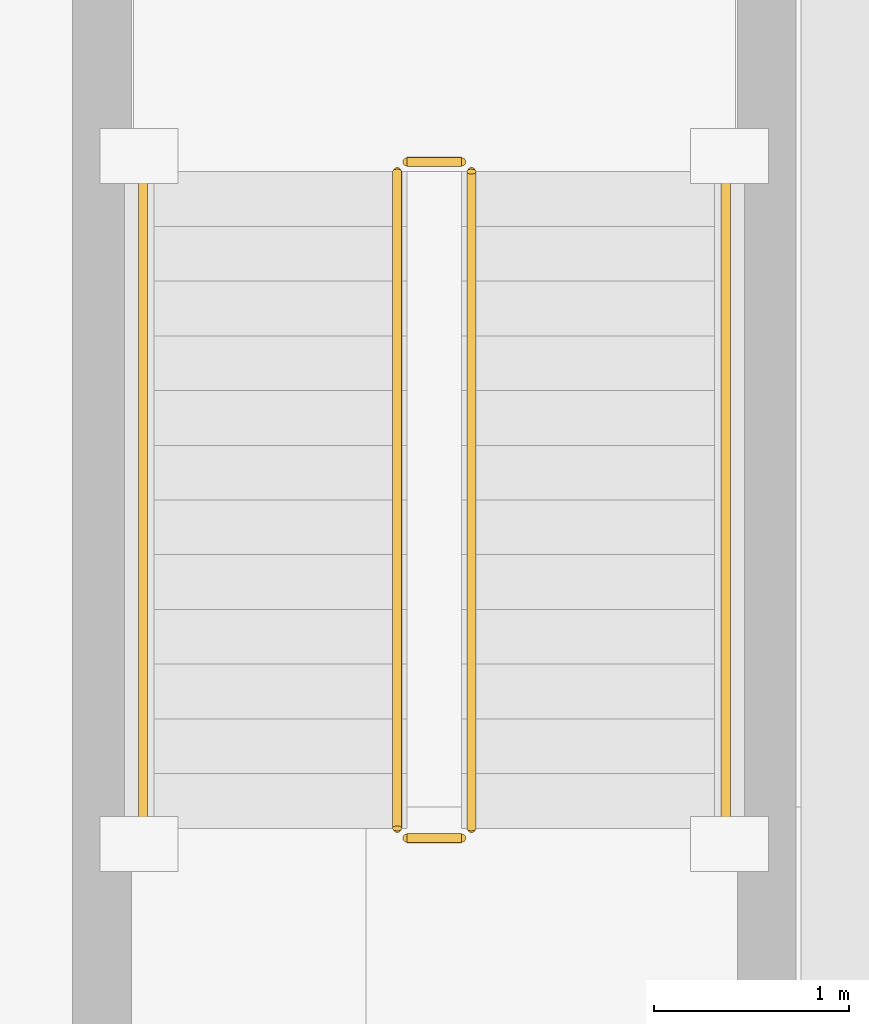
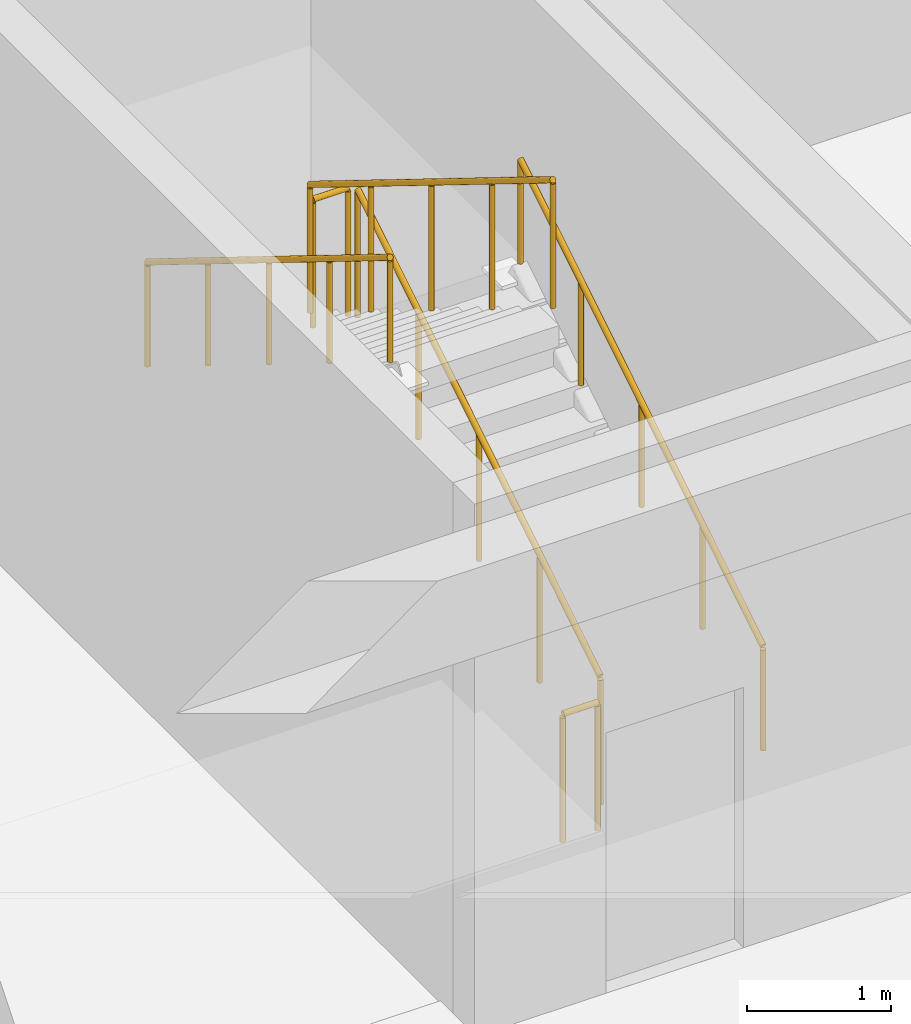
# One storey, part 39 of 41: 6 railings.
"""IFC4 building model written with IfcOpenShell, lengths in metres."""

from ifc_helpers import new_model, si_unit, direction, frame, origin, origin_2d, place, context, subcontext, project, spatial, circle, extrude, material, type_object, element, save


model = new_model("IFC4")

# Units and contexts
model_context = context("Model", 3, precision=1e-05, world=origin(), true_north=direction((0.0, 1.0)))
body_context = subcontext(model_context, "Body", "Model", "MODEL_VIEW")
ifc_project = project(units=[si_unit("LENGTHUNIT", "METRE"), si_unit("AREAUNIT", "SQUARE_METRE"), si_unit("VOLUMEUNIT", "CUBIC_METRE"), si_unit("PLANEANGLEUNIT", "RADIAN"), si_unit("MASSUNIT", "GRAM", prefix="KILO")], contexts=[model_context])

# Site, building, storey
site_placement = place(None, origin())
site = spatial("IfcSite", under=ifc_project, at=site_placement, CompositionType="ELEMENT")
building_placement = place(site_placement, origin())
building = spatial("IfcBuilding", under=site, at=building_placement, Name="Kemercrest Conservatory and Botanical Centre", CompositionType="ELEMENT")
storey_placement = place(building_placement, frame((0.0, 0.0, -4.5)))
storey = spatial("IfcBuildingStorey", under=building, at=storey_placement, Name="B1", CompositionType="ELEMENT", Elevation=-4.5)

# Railings
ifc_material_1 = material(Name="Painted galvanized steel tubular stair guardrail", Category="steel")
railing_type_1 = type_object("IfcRailingType", Name="GR-STR110", PredefinedType="GUARDRAIL", material=ifc_material_1)
railing_1_placement = place(storey_placement, frame((81.68994140625, 115.840087890625, 0.173095703125)))
element("IfcRailing", 1, at=railing_1_placement, inside=storey, type_object=railing_type_1, Name="B1 ST-V3B stair guard 1", PredefinedType="GUARDRAIL", context=body_context, shape_type="SweptSolid", body=[
    extrude(circle(Radius=0.02392578125, at=origin_2d()), frame((0.0, 0.0, 1.076171875), z_axis=(0.0, 0.850606129759, 0.525803396734), x_axis=(-1.0, 0.0, 0.0)), (0.0, 0.0, 1.0), 3.949951171875),
    extrude(circle(Radius=0.02099609375, at=origin_2d()), origin(), (0.0, 0.0, 1.0), 1.052001953125),
    extrude(circle(Radius=0.02099609375, at=origin_2d()), frame((0.0, 0.83984375, 0.519287109375)), (0.0, 0.0, 1.0), 1.052001953125),
    extrude(circle(Radius=0.02099609375, at=origin_2d()), frame((0.0, 1.679931640625, 1.03857421875)), (0.0, 0.0, 1.0), 1.052001953125),
    extrude(circle(Radius=0.02099609375, at=origin_2d()), frame((0.0, 2.52001953125, 1.5576171875)), (0.0, 0.0, 1.0), 1.052001953125),
    extrude(circle(Radius=0.02099609375, at=origin_2d()), frame((0.0, 3.35986328125, 2.076904296875)), (0.0, 0.0, 1.0), 1.052001953125),
])
railing_2_placement = place(storey_placement, frame((81.639892578125, 119.25, 2.25)))
element("IfcRailing", 2, at=railing_2_placement, inside=storey, type_object=railing_type_1, Name="B1 ST-V3B stair guard 2", PredefinedType="GUARDRAIL", context=body_context, shape_type="SweptSolid", body=[
    extrude(circle(Radius=0.02392578125, at=origin_2d()), frame((0.0, 0.0, 1.076171875), z_axis=(-1.0, 0.0, 0.0), x_axis=(0.0, -1.0, 0.0)), (0.0, 0.0, 1.0), 0.27978515625),
    extrude(circle(Radius=0.02099609375, at=origin_2d()), origin(), (0.0, 0.0, 1.0), 1.052001953125),
    extrude(circle(Radius=0.02099609375, at=origin_2d()), frame((-0.27978515625, 0.0, 0.0)), (0.0, 0.0, 1.0), 1.052001953125),
])
railing_3_placement = place(storey_placement, frame((81.31005859375, 119.199951171875, 2.423095703125)))
element("IfcRailing", 3, at=railing_3_placement, inside=storey, type_object=railing_type_1, Name="B1 ST-V3B stair guard 3", PredefinedType="GUARDRAIL", context=body_context, shape_type="SweptSolid", body=[
    extrude(circle(Radius=0.02392578125, at=origin_2d()), frame((0.0, 0.0, 1.076171875), z_axis=(0.0, -0.850606129759, 0.525803396734), x_axis=(1.0, 0.0, 0.0)), (0.0, 0.0, 1.0), 3.949951171875),
    extrude(circle(Radius=0.02099609375, at=origin_2d()), origin(), (0.0, 0.0, 1.0), 1.052001953125),
    extrude(circle(Radius=0.02099609375, at=origin_2d()), frame((0.0, -0.83984375, 0.519287109375)), (0.0, 0.0, 1.0), 1.052001953125),
    extrude(circle(Radius=0.02099609375, at=origin_2d()), frame((0.0, -1.679931640625, 1.03857421875)), (0.0, 0.0, 1.0), 1.052001953125),
    extrude(circle(Radius=0.02099609375, at=origin_2d()), frame((0.0, -2.52001953125, 1.5576171875)), (0.0, 0.0, 1.0), 1.052001953125),
    extrude(circle(Radius=0.02099609375, at=origin_2d()), frame((0.0, -3.35986328125, 2.076904296875)), (0.0, 0.0, 1.0), 1.052001953125),
])
railing_4_placement = place(storey_placement, frame((81.639892578125, 115.7900390625, 0.0)))
element("IfcRailing", 4, at=railing_4_placement, inside=storey, type_object=railing_type_1, Name="B1 ST-V3B stair guard 4", PredefinedType="GUARDRAIL", context=body_context, shape_type="SweptSolid", body=[
    extrude(circle(Radius=0.02392578125, at=origin_2d()), frame((0.0, 0.0, 1.076171875), z_axis=(-1.0, 0.0, 0.0), x_axis=(0.0, -1.0, 0.0)), (0.0, 0.0, 1.0), 0.27978515625),
    extrude(circle(Radius=0.02099609375, at=origin_2d()), origin(), (0.0, 0.0, 1.0), 1.052001953125),
    extrude(circle(Radius=0.02099609375, at=origin_2d()), frame((-0.27978515625, 0.0, 0.0)), (0.0, 0.0, 1.0), 1.052001953125),
])
ifc_material_2 = material(Name="Brushed stainless steel wall-mounted handrail", Category="steel")
railing_type_2 = type_object("IfcRailingType", Name="HR-STR090", PredefinedType="HANDRAIL", material=ifc_material_2)
railing_5_placement = place(storey_placement, frame((82.989990234375, 115.840087890625, 0.173095703125)))
element("IfcRailing", 5, at=railing_5_placement, inside=storey, type_object=railing_type_2, Name="B1 ST-V3B stair handrail 1", PredefinedType="HANDRAIL", context=body_context, shape_type="SweptSolid", body=[
    extrude(circle(Radius=0.02392578125, at=origin_2d()), frame((0.0, 0.0, 0.8759765625), z_axis=(0.0, 0.850606129759, 0.525803396734), x_axis=(-1.0, 0.0, 0.0)), (0.0, 0.0, 1.0), 3.949951171875),
    extrude(circle(Radius=0.02099609375, at=origin_2d()), origin(), (0.0, 0.0, 1.0), 0.851806640625),
    extrude(circle(Radius=0.02099609375, at=origin_2d()), frame((0.0, 0.83984375, 0.519287109375)), (0.0, 0.0, 1.0), 0.851806640625),
    extrude(circle(Radius=0.02099609375, at=origin_2d()), frame((0.0, 1.679931640625, 1.03857421875)), (0.0, 0.0, 1.0), 0.851806640625),
    extrude(circle(Radius=0.02099609375, at=origin_2d()), frame((0.0, 2.52001953125, 1.5576171875)), (0.0, 0.0, 1.0), 0.851806640625),
    extrude(circle(Radius=0.02099609375, at=origin_2d()), frame((0.0, 3.35986328125, 2.076904296875)), (0.0, 0.0, 1.0), 0.851806640625),
])
railing_6_placement = place(storey_placement, frame((80.010009765625, 119.199951171875, 2.423095703125)))
element("IfcRailing", 6, at=railing_6_placement, inside=storey, type_object=railing_type_2, Name="B1 ST-V3B stair handrail 2", PredefinedType="HANDRAIL", context=body_context, shape_type="SweptSolid", body=[
    extrude(circle(Radius=0.02392578125, at=origin_2d()), frame((0.0, 0.0, 0.8759765625), z_axis=(0.0, -0.850606129759, 0.525803396734), x_axis=(1.0, 0.0, 0.0)), (0.0, 0.0, 1.0), 3.949951171875),
    extrude(circle(Radius=0.02099609375, at=origin_2d()), origin(), (0.0, 0.0, 1.0), 0.851806640625),
    extrude(circle(Radius=0.02099609375, at=origin_2d()), frame((0.0, -0.83984375, 0.519287109375)), (0.0, 0.0, 1.0), 0.851806640625),
    extrude(circle(Radius=0.02099609375, at=origin_2d()), frame((0.0, -1.679931640625, 1.03857421875)), (0.0, 0.0, 1.0), 0.851806640625),
    extrude(circle(Radius=0.02099609375, at=origin_2d()), frame((0.0, -2.52001953125, 1.5576171875)), (0.0, 0.0, 1.0), 0.851806640625),
    extrude(circle(Radius=0.02099609375, at=origin_2d()), frame((0.0, -3.35986328125, 2.076904296875)), (0.0, 0.0, 1.0), 0.851806640625),
])

save(model, "model.ifc")
